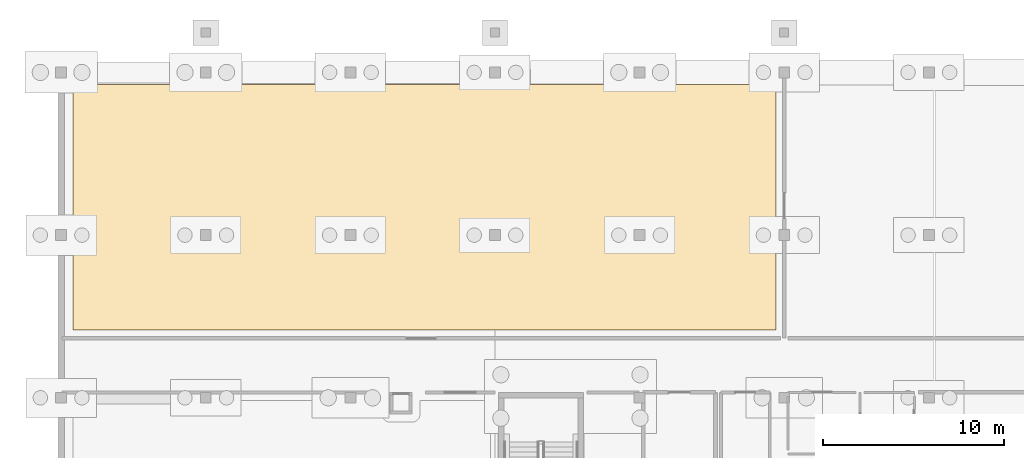
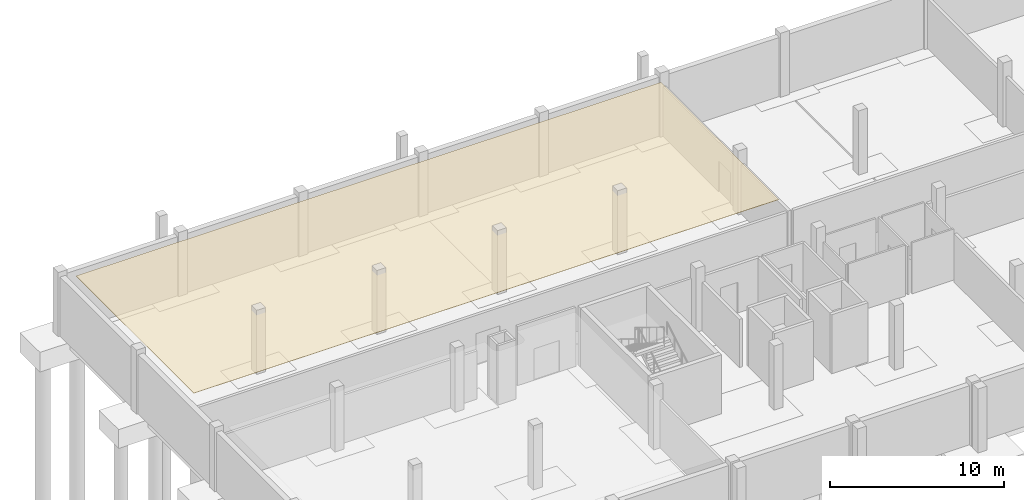
# One storey, part 30 of 36: 1 covering.
"""IFC4 building model written with IfcOpenShell, lengths in metres."""

from ifc_helpers import new_model, si_unit, direction, frame, origin, place, context, subcontext, project, spatial, polyline, outline, extrude, material, layer, layer_set, type_object, element, save


model = new_model("IFC4")

# Units and contexts
model_context = context("Model", 3, precision=1e-05, world=origin(), true_north=direction((0.0, 1.0)))
body_context = subcontext(model_context, "Body", "Model", "MODEL_VIEW")
ifc_project = project(units=[si_unit("LENGTHUNIT", "METRE"), si_unit("AREAUNIT", "SQUARE_METRE"), si_unit("VOLUMEUNIT", "CUBIC_METRE"), si_unit("PLANEANGLEUNIT", "RADIAN"), si_unit("MASSUNIT", "GRAM", prefix="KILO")], contexts=[model_context])

# Site, building, storey
site_placement = place(None, origin())
site = spatial("IfcSite", under=ifc_project, at=site_placement, CompositionType="ELEMENT")
building_placement = place(site_placement, origin())
building = spatial("IfcBuilding", under=site, at=building_placement, Name="Chiffa Square Polytechnic", CompositionType="ELEMENT")
storey_placement = place(building_placement, frame((0.0, 0.0, -4.5)))
storey = spatial("IfcBuildingStorey", under=building, at=storey_placement, Name="B1", CompositionType="ELEMENT", Elevation=-4.5)

# Covering
ifc_material = material(Name="Perforated gypsum acoustic board")
ifc_layer = layer(ifc_material, 0.02490234375, Name="Perforated gypsum acoustic board")
ifc_layer_set = layer_set([ifc_layer], Name="Perforated gypsum acoustic board")
covering_type = type_object("IfcCoveringType", Name="COV-CEIL-GYP", PredefinedType="CEILING", material=ifc_layer_set)
covering_placement = place(storey_placement, frame((0.0, 0.0, 4.126953125)))
element("IfcCovering", 1, at=covering_placement, inside=storey, type_object=covering_type, Name="Suspended acoustic ceiling CL-V5-B1-002", PredefinedType="CEILING", context=body_context, shape_type="SweptSolid", body=[
    extrude(outline(polyline([(39.550048828125, 116.550048828125), (0.669921875, 116.550048828125), (0.669921875, 130.1298828125), (39.550048828125, 130.1298828125), (39.550048828125, 116.550048828125)])), origin(), (0.0, 0.0, 1.0), 0.025146484375),
])

save(model, "model.ifc")
